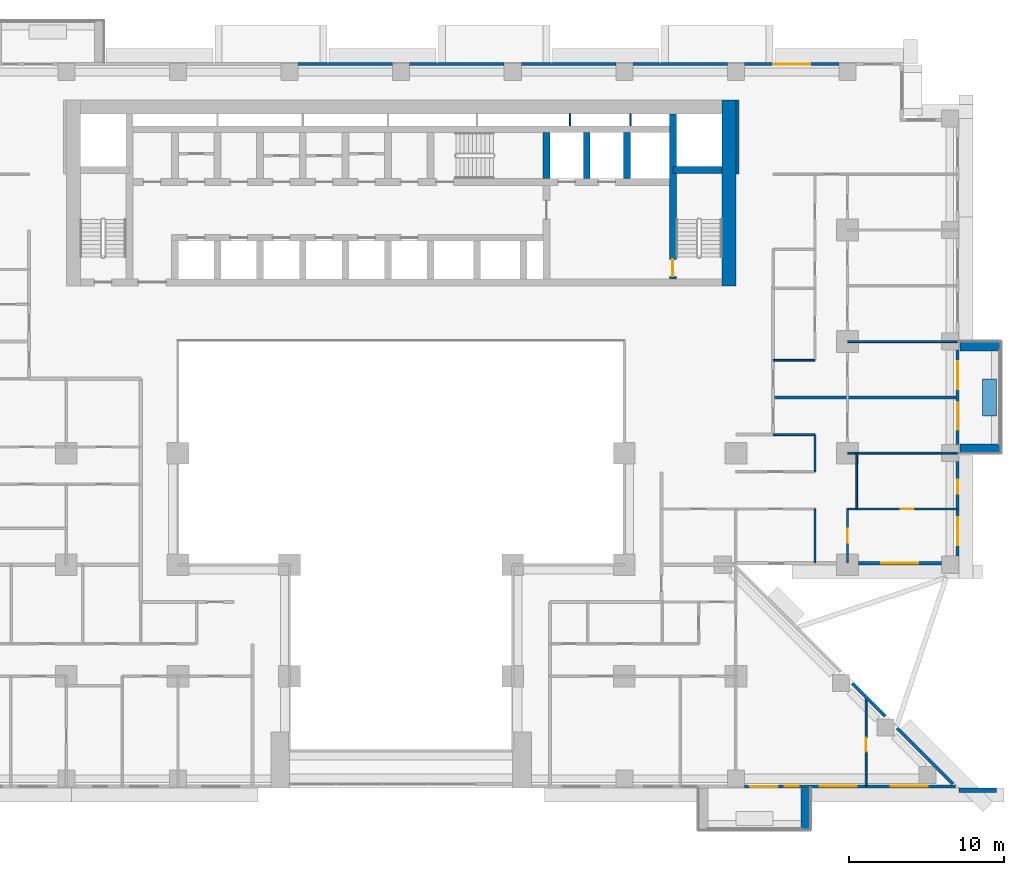
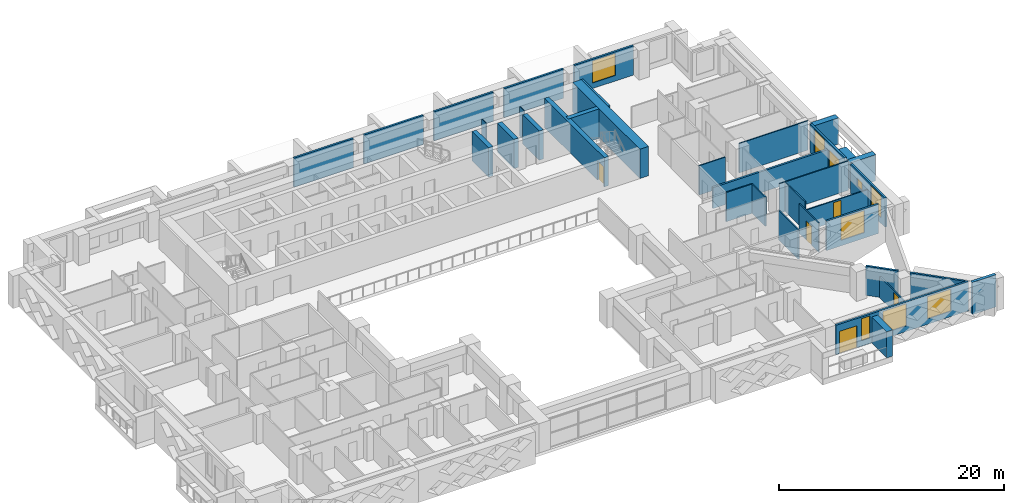
# One storey, part 11 of 16: 36 walls, 8 windows, 6 doors, 14 openings.
"""IFC4 building model written with IfcOpenShell, lengths in metres."""

import ifcopenshell
import ifcopenshell.guid

model = None  # the IFC model being written
_history = None  # IfcOwnerHistory: only IFC2X3 demands one
_inside = {}  # id of a spatial element -> (the spatial element, [elements in it])
_under = {}  # id of a project, library or spatial element -> (it, [spatial elements below it])
_declared = {}  # id of a project -> (the project, [libraries it declares])
_typed = {}  # id of a type object -> (the type object, [elements of that type])
_made_of = {}  # id of a material, layer set ... -> (it, [elements and type objects made of it])


def new_model(schema):
    """Start an empty IFC model of exactly this schema.

    Asked for "IFC4X3", IfcOpenShell would pick the latest addendum, in which some entities
    have other attributes; the version numbers below select the first issue.
    IFC2X3 requires an IfcOwnerHistory on every rooted entity: one is made here for all.
    """
    global model, _history
    if schema == "IFC4X3":
        model = ifcopenshell.file(schema_version=(4, 3, 0, 0))
    else:
        model = ifcopenshell.file(schema=schema)
    _inside.clear()
    _under.clear()
    _declared.clear()
    _typed.clear()
    _made_of.clear()
    _history = None
    if model.schema == "IFC2X3":
        org = make("IfcOrganization", Name="unknown")
        user = make(
            "IfcPersonAndOrganization",
            ThePerson=make("IfcPerson", FamilyName="unknown"),
            TheOrganization=org,
        )
        app = make(
            "IfcApplication",
            ApplicationDeveloper=org,
            Version="unknown",
            ApplicationFullName="unknown",
            ApplicationIdentifier="unknown",
        )
        _history = make(
            "IfcOwnerHistory",
            OwningUser=user,
            OwningApplication=app,
            ChangeAction="ADDED",
            CreationDate=0,
        )
    return model


def make(cls, **values):
    """One entity of the class cls with the attributes given. An attribute that is None is left unset."""
    return model.create_entity(
        cls, **{name: value for name, value in values.items() if value is not None}
    )


def rooted(cls, **values):
    """An entity with a GlobalId (a new one), such as an element, a storey or a relation."""
    return make(cls, GlobalId=ifcopenshell.guid.new(), OwnerHistory=_history, **values)


def si_unit(unit_type, name, prefix=None):
    """IfcSIUnit, for example si_unit("LENGTHUNIT", "METRE", prefix="MILLI")."""
    return make("IfcSIUnit", UnitType=unit_type, Prefix=prefix, Name=name)


def assignment(units):
    """IfcUnitAssignment: the units of a project."""
    return None if units is None else make("IfcUnitAssignment", Units=units)


def point(xyz):
    """IfcCartesianPoint."""
    return None if xyz is None else make("IfcCartesianPoint", Coordinates=xyz)


def direction(xyz):
    """IfcDirection."""
    return None if xyz is None else make("IfcDirection", DirectionRatios=xyz)


def frame(location, z_axis=None, x_axis=None):
    """IfcAxis2Placement3D, a coordinate frame: its origin and axes. An axis left out is left unset."""
    return make(
        "IfcAxis2Placement3D",
        Location=point(location),
        Axis=direction(z_axis),
        RefDirection=direction(x_axis),
    )


def frame_2d(location, x_axis=None):
    """IfcAxis2Placement2D, a coordinate frame in the plane: its origin and x axis."""
    return make(
        "IfcAxis2Placement2D", Location=point(location), RefDirection=direction(x_axis)
    )


def origin():
    """The frame at (0, 0, 0) with its axes left unset."""
    return frame((0.0, 0.0, 0.0))


def place(relative_to, where):
    """IfcLocalPlacement: puts the frame where relative to a parent placement (None: the world)."""
    return make(
        "IfcLocalPlacement", PlacementRelTo=relative_to, RelativePlacement=where
    )


def context(
    kind, dimensions, precision=None, world=None, true_north=None, identifier=None
):
    """IfcGeometricRepresentationContext, for example the 3D "Model" context."""
    return make(
        "IfcGeometricRepresentationContext",
        ContextIdentifier=identifier,
        ContextType=kind,
        CoordinateSpaceDimension=dimensions,
        Precision=precision,
        WorldCoordinateSystem=world,
        TrueNorth=true_north,
    )


def subcontext(parent, identifier, kind, view, scale=None):
    """IfcGeometricRepresentationSubContext, for example "Body" below "Model"."""
    return make(
        "IfcGeometricRepresentationSubContext",
        ContextIdentifier=identifier,
        ContextType=kind,
        ParentContext=parent,
        TargetScale=scale,
        TargetView=view,
    )


def project(units=None, contexts=None):
    """IfcProject with its units and contexts."""
    return rooted(
        "IfcProject",
        Name="project",
        RepresentationContexts=contexts,
        UnitsInContext=assignment(units),
    )


def spatial(cls, under=None, at=None, **own):
    """A site, building, storey or space (cls), placed at a placement, below another one or the project."""
    s = rooted(cls, ObjectPlacement=at, **own)
    if under is not None:
        _under.setdefault(under.id(), (under, []))[1].append(s)
    return s


def profile(cls, at=None, kind="AREA", **sizes):
    """A parametric profile (cls). Its sizes go by their IFC names, for example OverallWidth=200.0."""
    return make(cls, ProfileType=kind, Position=at, **sizes)


def rectangle(**sizes):
    """IfcRectangleProfileDef."""
    return profile("IfcRectangleProfileDef", **sizes)


def extrude(swept, where, along, depth):
    """IfcExtrudedAreaSolid: the profile swept, set in the frame where, extruded along a direction by depth."""
    return make(
        "IfcExtrudedAreaSolid",
        SweptArea=swept,
        Position=where,
        ExtrudedDirection=direction(along),
        Depth=depth,
    )


def shape(context_of_items, identifier, shape_type, items):
    """IfcShapeRepresentation: the items that make up one representation, for example the "Body"."""
    return make(
        "IfcShapeRepresentation",
        ContextOfItems=context_of_items,
        RepresentationIdentifier=identifier,
        RepresentationType=shape_type,
        Items=items,
    )


def material(Name=None, Category=None):
    """IfcMaterial."""
    return make("IfcMaterial", Name=Name, Category=Category)


def layer(
    of_material, thickness, ventilated=None, Name=None, Category=None, Priority=None
):
    """IfcMaterialLayer: one layer of a wall or slab, of a material (None: an air gap)."""
    return make(
        "IfcMaterialLayer",
        Material=of_material,
        LayerThickness=thickness,
        IsVentilated=ventilated,
        Name=Name,
        Category=Category,
        Priority=Priority,
    )


def layer_set(layers, Name=None):
    """IfcMaterialLayerSet."""
    return make("IfcMaterialLayerSet", MaterialLayers=layers, LayerSetName=Name)


def made_of(thing, what):
    """Note that an element or type object is made of a material, layer set ...; save() writes the relation."""
    if what is not None:
        _made_of.setdefault(what.id(), (what, []))[1].append(thing)
    return thing


def type_object(cls, material=None, **own):
    """A type object (cls), such as IfcWallType, which elements share."""
    return made_of(rooted(cls, **own), material)


def element(
    cls,
    number,
    at=None,
    inside=None,
    cuts=None,
    type_object=None,
    material=None,
    context=None,
    identifier="Body",
    shape_type=None,
    held_by="IfcProductDefinitionShape",
    body=None,
    shapes=None,
    **own,
):
    """One element of the class cls, such as IfcWall. Its Tag is "e" and its number.

    at: its placement. inside: the storey or other place that contains it. cuts: it is an
    opening in that element (IfcRelVoidsElement). A single representation is given by context,
    identifier, shape_type and body (its items); several are given by shapes. held_by: the class
    of the entity that holds the representations. save() writes the other relations.
    """
    e = rooted(cls, Tag="e%d" % number, ObjectPlacement=at, **own)
    if body is not None:
        shapes = [shape(context, identifier, shape_type, body)]
    if shapes is not None:
        e.Representation = make(held_by, Representations=shapes)
    if inside is not None:
        _inside.setdefault(inside.id(), (inside, []))[1].append(e)
    if cuts is not None:
        rooted(
            "IfcRelVoidsElement", RelatingBuildingElement=cuts, RelatedOpeningElement=e
        )
    if type_object is not None:
        _typed.setdefault(type_object.id(), (type_object, []))[1].append(e)
    return made_of(e, material)


def fill(opening, filler):
    """IfcRelFillsElement: the door or window that sits in an opening."""
    return rooted(
        "IfcRelFillsElement",
        RelatingOpeningElement=opening,
        RelatedBuildingElement=filler,
    )


def aggregate(whole, parts):
    """IfcRelAggregates: a whole, such as a stair, and the parts it consists of."""
    return rooted("IfcRelAggregates", RelatingObject=whole, RelatedObjects=parts)


def save(model, path):
    """Write the relations noted so far, then the file.

    IfcRelAggregates (storeys below a building ...), IfcRelContainedInSpatialStructure (elements
    in a storey), IfcRelDefinesByType, IfcRelAssociatesMaterial and IfcRelDeclares: one each for
    every whole, place, type object, material and project.
    """
    for whole, parts in _under.values():
        aggregate(whole, parts)
    for where, things in _inside.values():
        rooted(
            "IfcRelContainedInSpatialStructure",
            RelatedElements=things,
            RelatingStructure=where,
        )
    for kind, things in _typed.values():
        rooted("IfcRelDefinesByType", RelatedObjects=things, RelatingType=kind)
    for what, things in _made_of.values():
        rooted("IfcRelAssociatesMaterial", RelatedObjects=things, RelatingMaterial=what)
    for by, libraries in _declared.values():
        rooted("IfcRelDeclares", RelatingContext=by, RelatedDefinitions=libraries)
    model.write(path)


model = new_model("IFC4")

# Units and contexts
model_context = context("Model", 3, precision=1e-05, world=origin(), true_north=direction((0.0, 1.0)))
body_context = subcontext(model_context, "Body", "Model", "MODEL_VIEW")
ifc_project = project(units=[si_unit("LENGTHUNIT", "METRE"), si_unit("AREAUNIT", "SQUARE_METRE"), si_unit("VOLUMEUNIT", "CUBIC_METRE"), si_unit("PLANEANGLEUNIT", "RADIAN"), si_unit("MASSUNIT", "GRAM", prefix="KILO")], contexts=[model_context])

# Site, building, storey
site_placement = place(None, origin())
site = spatial("IfcSite", under=ifc_project, at=site_placement, CompositionType="ELEMENT")
building_placement = place(site_placement, origin())
building = spatial("IfcBuilding", under=site, at=building_placement, Name="Saffron Iwan Residences", CompositionType="ELEMENT")
storey_placement = place(building_placement, frame((0.0, 0.0, 30.5)))
storey = spatial("IfcBuildingStorey", under=building, at=storey_placement, Name="L06", CompositionType="ELEMENT", Elevation=30.5)

# Walls
ifc_material_1 = material(Name="Concrete C50/60 white painted", Category="concrete")
ifc_layer_1 = layer(ifc_material_1, 0.60009765625)
ifc_layer_set_1 = layer_set([ifc_layer_1], Name="Concrete C50/60 white painted")
wall_type_1 = type_object("IfcWallType", Name="BALCONY FIN 600", PredefinedType="SOLIDWALL", material=ifc_layer_set_1)
for number, where, z_axis, x_axis, name in (
    (1, (86.449951171875, 55.5, 0.0), (0.0, 0.0, 1.0), (1.0, 0.0, 0.0), "Balcony fin L06 F2-0a"),
    (2, (86.449951171875, 62.10009765625, 0.0), (0.0, 0.0, 1.0), (1.0, 0.0, 0.0), "Balcony fin L06 F2-0b"),
    (3, (76.5, 33.550048828125, 0.0), (0.0, 0.0, 1.0), (0.0, -1.0, 0.0), "Balcony fin L06 11-1b"),
):
    element("IfcWall", number, at=place(storey_placement, frame(where, z_axis=z_axis, x_axis=x_axis)), inside=storey, type_object=wall_type_1, Name=name, PredefinedType="SOLIDWALL", context=body_context, shape_type="SweptSolid", body=[
        extrude(rectangle(XDim=2.650146484375, YDim=0.60009765625, at=frame_2d((1.3251953125, 0.0))), origin(), (0.0, 0.0, 1.0), 2.85009765625),
    ])
ifc_material_2 = material(Name="Concrete C35/45 white painted", Category="concrete")
ifc_layer_2 = layer(ifc_material_2, 0.14990234375)
ifc_layer_set_2 = layer_set([ifc_layer_2], Name="Concrete C35/45 white painted")
wall_type_2 = type_object("IfcWallType", Name="BALCONY PLANTER", PredefinedType="SOLIDWALL", material=ifc_layer_set_2)
wall_1_placement = place(storey_placement, frame((88.375, 57.60009765625, 0.0), z_axis=(0.0, 0.0, 1.0), x_axis=(0.0, 1.0, 0.0)))
element("IfcWall", 4, at=wall_1_placement, inside=storey, type_object=wall_type_2, Name="PLANTER L06 F2-0", PredefinedType="SOLIDWALL", context=body_context, shape_type="SweptSolid", body=[
    extrude(rectangle(XDim=2.39990234375, YDim=0.89990234375, at=frame_2d((1.199951171875, 0.0))), origin(), (0.0, 0.0, 1.0), 0.89990234375),
])
ifc_material_3 = material(Name="Concrete C40/50", Category="concrete")
ifc_layer_3 = layer(ifc_material_3, 0.199951171875)
ifc_layer_set_3 = layer_set([ifc_layer_3], Name="Concrete C40/50")
wall_type_3 = type_object("IfcWallType", Name="EXTERNAL WALL 200", PredefinedType="SOLIDWALL", material=ifc_layer_set_3)
wall_2_placement = place(storey_placement, frame((85.995849609375, 33.862548828125, 0.0), z_axis=(0.0, 0.0, 1.0), x_axis=(-0.7070827891, 0.707130772459, 0.0)))
element("IfcWall", 5, at=wall_2_placement, inside=storey, type_object=wall_type_3, Name="External wall L06 F0.0", PredefinedType="SOLIDWALL", context=body_context, shape_type="SweptSolid", body=[
    extrude(rectangle(XDim=5.088134765625, YDim=0.199951171875, at=frame_2d((2.5439453125, 0.0))), origin(), (0.0, 0.0, 1.0), 3.179931640625),
])
wall_3_placement = place(storey_placement, frame((81.620361328125, 38.23828125, 0.0), z_axis=(0.0, 0.0, 1.0), x_axis=(-0.707106781187, 0.707106781187, 0.0)))
element("IfcWall", 6, at=wall_3_placement, inside=storey, type_object=wall_type_3, Name="External wall L06 F0.1", PredefinedType="SOLIDWALL", context=body_context, shape_type="SweptSolid", body=[
    extrude(rectangle(XDim=2.97265625, YDim=0.199951171875, at=frame_2d((1.486328125, 0.0))), origin(), (0.0, 0.0, 1.0), 3.179931640625),
])

# Wall, opening, window
wall_4_placement = place(storey_placement, frame((79.89990234375, 48.10009765625, 0.0), z_axis=(0.0, 0.0, 1.0), x_axis=(1.0, 0.0, 0.0)))
wall_4 = element("IfcWall", 7, at=wall_4_placement, inside=storey, type_object=wall_type_3, Name="External wall L06 F1.1", PredefinedType="SOLIDWALL", context=body_context, shape_type="SweptSolid", body=[
    extrude(rectangle(XDim=5.35009765625, YDim=0.199951171875, at=frame_2d((2.675048828125, 0.0))), origin(), (0.0, 0.0, 1.0), 3.179931640625),
])
opening_1_placement = place(wall_4_placement, frame((1.47509765625, 0.0, 0.60009765625)))
opening_1 = element("IfcOpeningElement", 8, at=opening_1_placement, cuts=wall_4, Name="Opening W1", PredefinedType="OPENING", context=body_context, shape_type="SweptSolid", body=[
    extrude(rectangle(XDim=2.39990234375, YDim=2.39990234375, at=frame_2d((1.199951171875, 1.199951171875))), frame((0.0, 0.10986328125, 0.0), z_axis=(0.0, -1.0, 0.0), x_axis=(1.0, 0.0, 0.0)), (0.0, 0.0, 1.0), 0.219970703125),
])
ifc_material_4 = material(Name="Clear glass, laminated double glazed", Category="glass")
window_type_1 = type_object("IfcWindowType", Name="WINDOW 2400 x 2400", PartitioningType="DOUBLE_PANEL_VERTICAL", PredefinedType="WINDOW", material=ifc_material_4)
window_1_placement = place(opening_1_placement, origin())
window_1 = element("IfcWindow", 9, at=window_1_placement, inside=storey, type_object=window_type_1, Name="Window L06 F1.0", OverallHeight=2.39990234375, OverallWidth=2.39990234375, PartitioningType="DOUBLE_PANEL_VERTICAL", PredefinedType="WINDOW", context=body_context, shape_type="SweptSolid", body=[
    extrude(rectangle(XDim=2.39990234375, YDim=2.39990234375, at=frame_2d((1.199951171875, 1.199951171875))), frame((0.0, 0.030029296875, 0.0), z_axis=(0.0, -1.0, 0.0), x_axis=(1.0, 0.0, 0.0)), (0.0, 0.0, 1.0), 0.06005859375),
])
fill(opening_1, window_1)

# Wall, openings, windows
wall_5_placement = place(storey_placement, frame((86.300048828125, 48.550048828125, 0.0), z_axis=(0.0, 0.0, 1.0), x_axis=(0.0, 1.0, 0.0)))
wall_5 = element("IfcWall", 10, at=wall_5_placement, inside=storey, type_object=wall_type_3, Name="External wall L06 F2.0", PredefinedType="SOLIDWALL", context=body_context, shape_type="SweptSolid", body=[
    extrude(rectangle(XDim=6.099853515625, YDim=0.199951171875, at=frame_2d((3.0498046875, 0.0))), origin(), (0.0, 0.0, 1.0), 3.179931640625),
])
opening_2_placement = place(wall_5_placement, frame((0.72509765625, 0.0, 0.60009765625)))
opening_2 = element("IfcOpeningElement", 11, at=opening_2_placement, cuts=wall_5, Name="Opening W8", PredefinedType="OPENING", context=body_context, shape_type="SweptSolid", body=[
    extrude(rectangle(XDim=1.800048828125, YDim=2.39990234375, at=frame_2d((0.89990234375, 1.199951171875))), frame((0.0, 0.10986328125, 0.0), z_axis=(0.0, -1.0, 0.0), x_axis=(1.0, 0.0, 0.0)), (0.0, 0.0, 1.0), 0.219970703125),
])
opening_3_placement = place(wall_5_placement, frame((4.02490234375, 0.0, 1.5)))
opening_3 = element("IfcOpeningElement", 12, at=opening_3_placement, cuts=wall_5, Name="Opening W6", PredefinedType="OPENING", context=body_context, shape_type="SweptSolid", body=[
    extrude(rectangle(XDim=0.89990234375, YDim=0.89990234375, at=frame_2d((0.449951171875, 0.449951171875))), frame((0.0, 0.10986328125, 0.0), z_axis=(0.0, -1.0, 0.0), x_axis=(1.0, 0.0, 0.0)), (0.0, 0.0, 1.0), 0.219970703125),
])
window_type_2 = type_object("IfcWindowType", Name="WINDOW 1800 x 2400", PartitioningType="DOUBLE_PANEL_VERTICAL", PredefinedType="WINDOW", material=ifc_material_4)
window_2_placement = place(opening_2_placement, origin())
window_2 = element("IfcWindow", 13, at=window_2_placement, inside=storey, type_object=window_type_2, Name="Window L06 F2.0", OverallHeight=2.39990234375, OverallWidth=1.800048828125, PartitioningType="DOUBLE_PANEL_VERTICAL", PredefinedType="WINDOW", context=body_context, shape_type="SweptSolid", body=[
    extrude(rectangle(XDim=1.800048828125, YDim=2.39990234375, at=frame_2d((0.89990234375, 1.199951171875))), frame((0.0, 0.030029296875, 0.0), z_axis=(0.0, -1.0, 0.0), x_axis=(1.0, 0.0, 0.0)), (0.0, 0.0, 1.0), 0.06005859375),
])
fill(opening_2, window_2)
window_type_3 = type_object("IfcWindowType", Name="WINDOW 900 x 900 BATH", PartitioningType="SINGLE_PANEL", PredefinedType="WINDOW", material=ifc_material_4)
window_3_placement = place(opening_3_placement, origin())
window_3 = element("IfcWindow", 14, at=window_3_placement, inside=storey, type_object=window_type_3, Name="Window L06 F2.1", OverallHeight=0.89990234375, OverallWidth=0.89990234375, PartitioningType="SINGLE_PANEL", PredefinedType="WINDOW", context=body_context, shape_type="SweptSolid", body=[
    extrude(rectangle(XDim=0.89990234375, YDim=0.89990234375, at=frame_2d((0.449951171875, 0.449951171875))), frame((0.0, 0.030029296875, 0.0), z_axis=(0.0, -1.0, 0.0), x_axis=(1.0, 0.0, 0.0)), (0.0, 0.0, 1.0), 0.06005859375),
])
fill(opening_3, window_3)

# Wall, openings, door, window
wall_6_placement = place(storey_placement, frame((86.300048828125, 55.75, 0.0), z_axis=(0.0, 0.0, 1.0), x_axis=(0.0, 1.0, 0.0)))
wall_6 = element("IfcWall", 15, at=wall_6_placement, inside=storey, type_object=wall_type_3, Name="External wall L06 F2.1", PredefinedType="SOLIDWALL", context=body_context, shape_type="SweptSolid", body=[
    extrude(rectangle(XDim=6.10009765625, YDim=0.199951171875, at=frame_2d((3.050048828125, 0.0))), origin(), (0.0, 0.0, 1.0), 3.179931640625),
])
opening_4_placement = place(wall_6_placement, frame((0.949951171875, 0.0, 0.0)))
opening_4 = element("IfcOpeningElement", 16, at=opening_4_placement, cuts=wall_6, Name="Opening BD1", PredefinedType="OPENING", context=body_context, shape_type="SweptSolid", body=[
    extrude(rectangle(XDim=1.800048828125, YDim=2.39990234375, at=frame_2d((0.89990234375, 1.199951171875))), frame((0.0, 0.10986328125, 0.0), z_axis=(0.0, -1.0, 0.0), x_axis=(1.0, 0.0, 0.0)), (0.0, 0.0, 1.0), 0.219970703125),
])
opening_5_placement = place(wall_6_placement, frame((3.574951171875, 0.0, 0.60009765625)))
opening_5 = element("IfcOpeningElement", 17, at=opening_5_placement, cuts=wall_6, Name="Opening W8", PredefinedType="OPENING", context=body_context, shape_type="SweptSolid", body=[
    extrude(rectangle(XDim=1.800048828125, YDim=2.39990234375, at=frame_2d((0.89990234375, 1.199951171875))), frame((0.0, 0.10986328125, 0.0), z_axis=(0.0, -1.0, 0.0), x_axis=(1.0, 0.0, 0.0)), (0.0, 0.0, 1.0), 0.219970703125),
])
door_type_1 = type_object("IfcDoorType", Name="BALCONY DOOR 1800 x 2400", OperationType="DOUBLE_DOOR_SLIDING", PredefinedType="DOOR", material=ifc_material_4)
door_1_placement = place(opening_4_placement, origin())
door_1 = element("IfcDoor", 18, at=door_1_placement, inside=storey, type_object=door_type_1, Name="Balcony door L06 F2.0", OperationType="DOUBLE_DOOR_SLIDING", OverallHeight=2.39990234375, OverallWidth=1.800048828125, PredefinedType="DOOR", context=body_context, shape_type="SweptSolid", body=[
    extrude(rectangle(XDim=1.800048828125, YDim=2.39990234375, at=frame_2d((0.89990234375, 1.199951171875))), frame((0.0, 0.02490234375, 0.0), z_axis=(0.0, -1.0, 0.0), x_axis=(1.0, 0.0, 0.0)), (0.0, 0.0, 1.0), 0.050048828125),
])
fill(opening_4, door_1)
window_4_placement = place(opening_5_placement, origin())
window_4 = element("IfcWindow", 19, at=window_4_placement, inside=storey, type_object=window_type_2, Name="Window L06 F2.1", OverallHeight=2.39990234375, OverallWidth=1.800048828125, PartitioningType="DOUBLE_PANEL_VERTICAL", PredefinedType="WINDOW", context=body_context, shape_type="SweptSolid", body=[
    extrude(rectangle(XDim=1.800048828125, YDim=2.39990234375, at=frame_2d((0.89990234375, 1.199951171875))), frame((0.0, 0.030029296875, 0.0), z_axis=(0.0, -1.0, 0.0), x_axis=(1.0, 0.0, 0.0)), (0.0, 0.0, 1.0), 0.06005859375),
])
fill(opening_5, window_4)

# Wall, opening, window
wall_7_placement = place(storey_placement, frame((78.64990234375, 80.300048828125, 0.0), z_axis=(0.0, 0.0, 1.0), x_axis=(-1.0, 0.0, 0.0)))
wall_7 = element("IfcWall", 20, at=wall_7_placement, inside=storey, type_object=wall_type_3, Name="External wall L06 F5.1", PredefinedType="SOLIDWALL", context=body_context, shape_type="SweptSolid", body=[
    extrude(rectangle(XDim=6.099853515625, YDim=0.199951171875, at=frame_2d((3.0498046875, 0.0))), origin(), (0.0, 0.0, 1.0), 3.179931640625),
])
opening_6_placement = place(wall_7_placement, frame((1.85009765625, 0.0, 0.60009765625)))
opening_6 = element("IfcOpeningElement", 21, at=opening_6_placement, cuts=wall_7, Name="Opening W1", PredefinedType="OPENING", context=body_context, shape_type="SweptSolid", body=[
    extrude(rectangle(XDim=2.39990234375, YDim=2.39990234375, at=frame_2d((1.199951171875, 1.199951171875))), frame((0.0, 0.10986328125, 0.0), z_axis=(0.0, -1.0, 0.0), x_axis=(1.0, 0.0, 0.0)), (0.0, 0.0, 1.0), 0.219970703125),
])
window_5_placement = place(opening_6_placement, origin())
window_5 = element("IfcWindow", 22, at=window_5_placement, inside=storey, type_object=window_type_1, Name="Window L06 F5.0", OverallHeight=2.39990234375, OverallWidth=2.39990234375, PartitioningType="DOUBLE_PANEL_VERTICAL", PredefinedType="WINDOW", context=body_context, shape_type="SweptSolid", body=[
    extrude(rectangle(XDim=2.39990234375, YDim=2.39990234375, at=frame_2d((1.199951171875, 1.199951171875))), frame((0.0, 0.030029296875, 0.0), z_axis=(0.0, -1.0, 0.0), x_axis=(1.0, 0.0, 0.0)), (0.0, 0.0, 1.0), 0.06005859375),
])
fill(opening_6, window_5)

# Walls
wall_8_placement = place(storey_placement, frame((71.449951171875, 80.300048828125, 0.0), z_axis=(0.0, 0.0, 1.0), x_axis=(-1.0, 0.0, 0.0)))
element("IfcWall", 23, at=wall_8_placement, inside=storey, type_object=wall_type_3, Name="External wall L06 F5.2", PredefinedType="SOLIDWALL", context=body_context, shape_type="SweptSolid", body=[
    extrude(rectangle(XDim=6.099853515625, YDim=0.199951171875, at=frame_2d((3.0498046875, 0.0))), origin(), (0.0, 0.0, 1.0), 3.179931640625),
])
for number, where, z_axis, x_axis, name in (
    (24, (64.25, 80.300048828125, 0.0), (0.0, 0.0, 1.0), (-1.0, 0.0, 0.0), "External wall L06 F5.3"),
    (25, (57.050048828125, 80.300048828125, 0.0), (0.0, 0.0, 1.0), (-1.0, 0.0, 0.0), "External wall L06 F5.4"),
    (26, (49.85009765625, 80.300048828125, 0.0), (0.0, 0.0, 1.0), (-1.0, 0.0, 0.0), "External wall L06 F5.5"),
):
    element("IfcWall", number, at=place(storey_placement, frame(where, z_axis=z_axis, x_axis=x_axis)), inside=storey, type_object=wall_type_3, Name=name, PredefinedType="SOLIDWALL", context=body_context, shape_type="SweptSolid", body=[
        extrude(rectangle(XDim=6.10009765625, YDim=0.199951171875, at=frame_2d((3.050048828125, 0.0))), origin(), (0.0, 0.0, 1.0), 3.179931640625),
    ])

# Wall, openings, door, windows
wall_9_placement = place(storey_placement, frame((72.550048828125, 33.699951171875, 0.0), z_axis=(0.0, 0.0, 1.0), x_axis=(1.0, 0.0, 0.0)))
wall_9 = element("IfcWall", 27, at=wall_9_placement, inside=storey, type_object=wall_type_3, Name="External wall L06 F11.6", PredefinedType="SOLIDWALL", context=body_context, shape_type="SweptSolid", body=[
    extrude(rectangle(XDim=13.608642578125, YDim=0.199951171875, at=frame_2d((6.80419921875, 0.0))), origin(), (0.0, 0.0, 1.0), 3.179931640625),
])
opening_7_placement = place(wall_9_placement, frame((0.35009765625, 0.0, 0.0)))
opening_7 = element("IfcOpeningElement", 28, at=opening_7_placement, cuts=wall_9, Name="Opening BD1", PredefinedType="OPENING", context=body_context, shape_type="SweptSolid", body=[
    extrude(rectangle(XDim=1.800048828125, YDim=2.39990234375, at=frame_2d((0.89990234375, 1.199951171875))), frame((0.0, 0.10986328125, 0.0), z_axis=(0.0, -1.0, 0.0), x_axis=(1.0, 0.0, 0.0)), (0.0, 0.0, 1.0), 0.219970703125),
])
opening_8_placement = place(wall_9_placement, frame((2.60009765625, 0.0, 0.60009765625)))
opening_8 = element("IfcOpeningElement", 29, at=opening_8_placement, cuts=wall_9, Name="Opening W10", PredefinedType="OPENING", context=body_context, shape_type="SweptSolid", body=[
    extrude(rectangle(XDim=0.89990234375, YDim=2.39990234375, at=frame_2d((0.449951171875, 1.199951171875))), frame((0.0, 0.10986328125, 0.0), z_axis=(0.0, -1.0, 0.0), x_axis=(1.0, 0.0, 0.0)), (0.0, 0.0, 1.0), 0.219970703125),
])
opening_9_placement = place(wall_9_placement, frame((4.85009765625, 0.0, 0.60009765625)))
opening_9 = element("IfcOpeningElement", 30, at=opening_9_placement, cuts=wall_9, Name="Opening W1", PredefinedType="OPENING", context=body_context, shape_type="SweptSolid", body=[
    extrude(rectangle(XDim=2.39990234375, YDim=2.39990234375, at=frame_2d((1.199951171875, 1.199951171875))), frame((0.0, 0.10986328125, 0.0), z_axis=(0.0, -1.0, 0.0), x_axis=(1.0, 0.0, 0.0)), (0.0, 0.0, 1.0), 0.219970703125),
])
opening_10_placement = place(wall_9_placement, frame((9.42919921875, 0.0, 0.60009765625)))
opening_10 = element("IfcOpeningElement", 31, at=opening_10_placement, cuts=wall_9, Name="Opening W1", PredefinedType="OPENING", context=body_context, shape_type="SweptSolid", body=[
    extrude(rectangle(XDim=2.39990234375, YDim=2.39990234375, at=frame_2d((1.199951171875, 1.199951171875))), frame((0.0, 0.10986328125, 0.0), z_axis=(0.0, -1.0, 0.0), x_axis=(1.0, 0.0, 0.0)), (0.0, 0.0, 1.0), 0.219970703125),
])
door_2_placement = place(opening_7_placement, origin())
door_2 = element("IfcDoor", 32, at=door_2_placement, inside=storey, type_object=door_type_1, Name="Balcony door L06 F11.0", OperationType="DOUBLE_DOOR_SLIDING", OverallHeight=2.39990234375, OverallWidth=1.800048828125, PredefinedType="DOOR", context=body_context, shape_type="SweptSolid", body=[
    extrude(rectangle(XDim=1.800048828125, YDim=2.39990234375, at=frame_2d((0.89990234375, 1.199951171875))), frame((0.0, 0.02490234375, 0.0), z_axis=(0.0, -1.0, 0.0), x_axis=(1.0, 0.0, 0.0)), (0.0, 0.0, 1.0), 0.050048828125),
])
fill(opening_7, door_2)
window_6_placement = place(opening_9_placement, origin())
window_6 = element("IfcWindow", 33, at=window_6_placement, inside=storey, type_object=window_type_1, Name="Window L06 F11.2", OverallHeight=2.39990234375, OverallWidth=2.39990234375, PartitioningType="DOUBLE_PANEL_VERTICAL", PredefinedType="WINDOW", context=body_context, shape_type="SweptSolid", body=[
    extrude(rectangle(XDim=2.39990234375, YDim=2.39990234375, at=frame_2d((1.199951171875, 1.199951171875))), frame((0.0, 0.030029296875, 0.0), z_axis=(0.0, -1.0, 0.0), x_axis=(1.0, 0.0, 0.0)), (0.0, 0.0, 1.0), 0.06005859375),
])
fill(opening_9, window_6)
window_7_placement = place(opening_10_placement, origin())
window_7 = element("IfcWindow", 34, at=window_7_placement, inside=storey, type_object=window_type_1, Name="Window L06 F11.3", OverallHeight=2.39990234375, OverallWidth=2.39990234375, PartitioningType="DOUBLE_PANEL_VERTICAL", PredefinedType="WINDOW", context=body_context, shape_type="SweptSolid", body=[
    extrude(rectangle(XDim=2.39990234375, YDim=2.39990234375, at=frame_2d((1.199951171875, 1.199951171875))), frame((0.0, 0.030029296875, 0.0), z_axis=(0.0, -1.0, 0.0), x_axis=(1.0, 0.0, 0.0)), (0.0, 0.0, 1.0), 0.06005859375),
])
fill(opening_10, window_7)
window_type_4 = type_object("IfcWindowType", Name="WINDOW 900 x 2400", PartitioningType="SINGLE_PANEL", PredefinedType="WINDOW", material=ifc_material_4)
window_8_placement = place(opening_8_placement, origin())
window_8 = element("IfcWindow", 35, at=window_8_placement, inside=storey, type_object=window_type_4, Name="Window L06 F11.1", OverallHeight=2.39990234375, OverallWidth=0.89990234375, PartitioningType="SINGLE_PANEL", PredefinedType="WINDOW", context=body_context, shape_type="SweptSolid", body=[
    extrude(rectangle(XDim=0.89990234375, YDim=2.39990234375, at=frame_2d((0.449951171875, 1.199951171875))), frame((0.0, 0.030029296875, 0.0), z_axis=(0.0, -1.0, 0.0), x_axis=(1.0, 0.0, 0.0)), (0.0, 0.0, 1.0), 0.06005859375),
])
fill(opening_8, window_8)

# Wall
ifc_material_5 = material(Name="Fire-rated gypsum board wall")
ifc_layer_4 = layer(ifc_material_5, 0.199951171875)
ifc_layer_set_4 = layer_set([ifc_layer_4], Name="Fire-rated gypsum board wall")
wall_type_4 = type_object("IfcWallType", Name="Flat demising wall 200", PredefinedType="SOLIDWALL", material=ifc_layer_set_4)
wall_10_placement = place(storey_placement, frame((74.39990234375, 58.800048828125, 0.0), z_axis=(0.0, 0.0, 1.0), x_axis=(1.0, 0.0, 0.0)))
element("IfcWall", 36, at=wall_10_placement, inside=storey, type_object=wall_type_4, Name="W-L06-DEMISE-h58.8-74.4", PredefinedType="SOLIDWALL", context=body_context, shape_type="SweptSolid", body=[
    extrude(rectangle(XDim=11.875, YDim=0.199951171875, at=frame_2d((5.9375, 0.0))), origin(), (0.0, 0.0, 1.0), 2.280029296875),
])

# Wall, opening, door
ifc_material_6 = material(Name="Gypsum board partition")
ifc_layer_5 = layer(ifc_material_6, 0.1201171875)
ifc_layer_set_5 = layer_set([ifc_layer_5], Name="Gypsum board partition")
wall_type_5 = type_object("IfcWallType", Name="Flat partition 120", PredefinedType="PARTITIONING", material=ifc_layer_set_5)
wall_11_placement = place(storey_placement, frame((79.199951171875, 51.60009765625, 0.0), z_axis=(0.0, 0.0, 1.0), x_axis=(1.0, 0.0, 0.0)))
wall_11 = element("IfcWall", 37, at=wall_11_placement, inside=storey, type_object=wall_type_5, Name="W-L06-PART-h51.6-79.2", PredefinedType="PARTITIONING", context=body_context, shape_type="SweptSolid", body=[
    extrude(rectangle(XDim=7.074951171875, YDim=0.1201171875, at=frame_2d((3.53759765625, 0.0))), origin(), (0.0, 0.0, 1.0), 2.280029296875),
])
opening_11_placement = place(wall_11_placement, frame((3.4375, 0.0, 0.0)))
opening_11 = element("IfcOpeningElement", 38, at=opening_11_placement, cuts=wall_11, Name="Opening FD3", PredefinedType="OPENING", context=body_context, shape_type="SweptSolid", body=[
    extrude(rectangle(XDim=0.800048828125, YDim=2.10009765625, at=frame_2d((0.39990234375, 1.050048828125))), frame((0.0, 0.070068359375, 0.0), z_axis=(0.0, -1.0, 0.0), x_axis=(1.0, 0.0, 0.0)), (0.0, 0.0, 1.0), 0.14013671875),
])
ifc_material_7 = material(Name="Timber door", Category="wood")
door_type_2 = type_object("IfcDoorType", Name="Bathroom door 800", OperationType="NOTDEFINED", PredefinedType="DOOR", material=ifc_material_7)
door_3_placement = place(opening_11_placement, origin())
door_3 = element("IfcDoor", 39, at=door_3_placement, inside=storey, type_object=door_type_2, Name="Door L06-023", OperationType="SINGLE_SWING_LEFT", OverallHeight=2.10009765625, OverallWidth=0.800048828125, PredefinedType="DOOR", context=body_context, shape_type="SweptSolid", body=[
    extrude(rectangle(XDim=0.800048828125, YDim=2.10009765625, at=frame_2d((0.39990234375, 1.050048828125))), frame((0.0, 0.02490234375, 0.0), z_axis=(0.0, -1.0, 0.0), x_axis=(1.0, 0.0, 0.0)), (0.0, 0.0, 1.0), 0.050048828125),
])
fill(opening_11, door_3)

# Walls
wall_12_placement = place(storey_placement, frame((79.199951171875, 55.199951171875, 0.0), z_axis=(0.0, 0.0, 1.0), x_axis=(1.0, 0.0, 0.0)))
element("IfcWall", 40, at=wall_12_placement, inside=storey, type_object=wall_type_5, Name="W-L06-PART-h55.2-79.2", PredefinedType="PARTITIONING", context=body_context, shape_type="SweptSolid", body=[
    extrude(rectangle(XDim=7.074951171875, YDim=0.1201171875, at=frame_2d((3.53759765625, 0.0))), origin(), (0.0, 0.0, 1.0), 3.179931640625),
])
for number, where, z_axis, x_axis, name in (
    (41, (74.39990234375, 56.39990234375, 0.0), (0.0, 0.0, 1.0), (1.0, 0.0, 0.0), "W-L06-PART-h56.4-74.4"),
    (42, (74.39990234375, 61.199951171875, 0.0), (0.0, 0.0, 1.0), (1.0, 0.0, 0.0), "W-L06-PART-h61.2-74.4"),
):
    element("IfcWall", number, at=place(storey_placement, frame(where, z_axis=z_axis, x_axis=x_axis)), inside=storey, type_object=wall_type_5, Name=name, PredefinedType="PARTITIONING", context=body_context, shape_type="SweptSolid", body=[
        extrude(rectangle(XDim=2.7001953125, YDim=0.1201171875, at=frame_2d((1.35009765625, 0.0))), origin(), (0.0, 0.0, 1.0), 3.179931640625),
    ])
wall_13_placement = place(storey_placement, frame((79.199951171875, 62.39990234375, 0.0), z_axis=(0.0, 0.0, 1.0), x_axis=(1.0, 0.0, 0.0)))
element("IfcWall", 43, at=wall_13_placement, inside=storey, type_object=wall_type_5, Name="W-L06-PART-h62.4-79.2", PredefinedType="PARTITIONING", context=body_context, shape_type="SweptSolid", body=[
    extrude(rectangle(XDim=7.074951171875, YDim=0.1201171875, at=frame_2d((3.53759765625, 0.0))), origin(), (0.0, 0.0, 1.0), 3.179931640625),
])
wall_14_placement = place(storey_placement, frame((77.10009765625, 48.125, 0.0), z_axis=(0.0, 0.0, 1.0), x_axis=(0.0, 1.0, 0.0)))
element("IfcWall", 44, at=wall_14_placement, inside=storey, type_object=wall_type_5, Name="W-L06-PART-v77.1-48.125", PredefinedType="PARTITIONING", context=body_context, shape_type="SweptSolid", body=[
    extrude(rectangle(XDim=3.47509765625, YDim=0.1201171875, at=frame_2d((1.737548828125, 0.0))), origin(), (0.0, 0.0, 1.0), 3.179931640625),
])
wall_15_placement = place(storey_placement, frame((77.10009765625, 54.0, 0.0), z_axis=(0.0, 0.0, 1.0), x_axis=(0.0, 1.0, 0.0)))
element("IfcWall", 45, at=wall_15_placement, inside=storey, type_object=wall_type_5, Name="W-L06-PART-v77.1-54", PredefinedType="PARTITIONING", context=body_context, shape_type="SweptSolid", body=[
    extrude(rectangle(XDim=2.39990234375, YDim=0.1201171875, at=frame_2d((1.199951171875, 0.0))), origin(), (0.0, 0.0, 1.0), 3.179931640625),
])

# Wall, opening, door
wall_16_placement = place(storey_placement, frame((79.199951171875, 48.125, 0.0), z_axis=(0.0, 0.0, 1.0), x_axis=(0.0, 1.0, 0.0)))
wall_16 = element("IfcWall", 46, at=wall_16_placement, inside=storey, type_object=wall_type_5, Name="W-L06-PART-v79.2-48.125", PredefinedType="PARTITIONING", context=body_context, shape_type="SweptSolid", body=[
    extrude(rectangle(XDim=3.47509765625, YDim=0.1201171875, at=frame_2d((1.737548828125, 0.0))), origin(), (0.0, 0.0, 1.0), 3.179931640625),
])
opening_12_placement = place(wall_16_placement, frame((1.28759765625, 0.0, 0.0)))
opening_12 = element("IfcOpeningElement", 47, at=opening_12_placement, cuts=wall_16, Name="Opening FD2", PredefinedType="OPENING", context=body_context, shape_type="SweptSolid", body=[
    extrude(rectangle(XDim=0.89990234375, YDim=2.10009765625, at=frame_2d((0.449951171875, 1.050048828125))), frame((0.0, 0.070068359375, 0.0), z_axis=(0.0, -1.0, 0.0), x_axis=(1.0, 0.0, 0.0)), (0.0, 0.0, 1.0), 0.14013671875),
])
door_type_3 = type_object("IfcDoorType", Name="Flat door 900", OperationType="NOTDEFINED", PredefinedType="DOOR", material=ifc_material_7)
door_4_placement = place(opening_12_placement, origin())
door_4 = element("IfcDoor", 48, at=door_4_placement, inside=storey, type_object=door_type_3, Name="Door L06-022", OperationType="SINGLE_SWING_RIGHT", OverallHeight=2.10009765625, OverallWidth=0.89990234375, PredefinedType="DOOR", context=body_context, shape_type="SweptSolid", body=[
    extrude(rectangle(XDim=0.89990234375, YDim=2.10009765625, at=frame_2d((0.449951171875, 1.050048828125))), frame((0.0, 0.02490234375, 0.0), z_axis=(0.0, -1.0, 0.0), x_axis=(1.0, 0.0, 0.0)), (0.0, 0.0, 1.0), 0.050048828125),
])
fill(opening_12, door_4)

# Wall
wall_17_placement = place(storey_placement, frame((79.800048828125, 51.60009765625, 0.0), z_axis=(0.0, 0.0, 1.0), x_axis=(0.0, 1.0, 0.0)))
element("IfcWall", 49, at=wall_17_placement, inside=storey, type_object=wall_type_5, Name="W-L06-PART-v79.8-51.6", PredefinedType="PARTITIONING", context=body_context, shape_type="SweptSolid", body=[
    extrude(rectangle(XDim=3.599853515625, YDim=0.1201171875, at=frame_2d((1.7998046875, 0.0))), origin(), (0.0, 0.0, 1.0), 3.179931640625),
])

# Wall, opening, door
wall_18_placement = place(storey_placement, frame((80.39990234375, 33.72509765625, 0.0), z_axis=(0.0, 0.0, 1.0), x_axis=(0.0, 1.0, 0.0)))
wall_18 = element("IfcWall", 50, at=wall_18_placement, inside=storey, type_object=wall_type_5, Name="W-L06-PART-v80.4-33.725", PredefinedType="PARTITIONING", context=body_context, shape_type="SweptSolid", body=[
    extrude(rectangle(XDim=5.697998046875, YDim=0.1201171875, at=frame_2d((2.84912109375, 0.0))), origin(), (0.0, 0.0, 1.0), 2.280029296875),
])
opening_13_placement = place(wall_18_placement, frame((2.198974609375, 0.0, 0.0)))
opening_13 = element("IfcOpeningElement", 51, at=opening_13_placement, cuts=wall_18, Name="Opening FD2", PredefinedType="OPENING", context=body_context, shape_type="SweptSolid", body=[
    extrude(rectangle(XDim=0.89990234375, YDim=2.10009765625, at=frame_2d((0.449951171875, 1.050048828125))), frame((0.0, 0.070068359375, 0.0), z_axis=(0.0, -1.0, 0.0), x_axis=(1.0, 0.0, 0.0)), (0.0, 0.0, 1.0), 0.14013671875),
])
door_5_placement = place(opening_13_placement, origin())
door_5 = element("IfcDoor", 52, at=door_5_placement, inside=storey, type_object=door_type_3, Name="Door L06-052", OperationType="SINGLE_SWING_LEFT", OverallHeight=2.10009765625, OverallWidth=0.89990234375, PredefinedType="DOOR", context=body_context, shape_type="SweptSolid", body=[
    extrude(rectangle(XDim=0.89990234375, YDim=2.10009765625, at=frame_2d((0.449951171875, 1.050048828125))), frame((0.0, 0.02490234375, 0.0), z_axis=(0.0, -1.0, 0.0), x_axis=(1.0, 0.0, 0.0)), (0.0, 0.0, 1.0), 0.050048828125),
])
fill(opening_13, door_5)

# Walls
ifc_layer_6 = layer(ifc_material_5, 0.199951171875)
ifc_layer_set_6 = layer_set([ifc_layer_6], Name="Fire-rated gypsum board wall")
wall_type_6 = type_object("IfcWallType", Name="Gallery wall 200", PredefinedType="SOLIDWALL", material=ifc_layer_set_6)
wall_19_placement = place(storey_placement, frame((72.10009765625, 73.199951171875, 0.0), z_axis=(0.0, 0.0, 1.0), x_axis=(0.0, 1.0, 0.0)))
element("IfcWall", 53, at=wall_19_placement, inside=storey, type_object=wall_type_6, Name="W-L06-CORR-v72-73.2", PredefinedType="SOLIDWALL", context=body_context, shape_type="SweptSolid", body=[
    extrude(rectangle(XDim=4.800048828125, YDim=0.199951171875, at=frame_2d((2.39990234375, 0.0))), origin(), (0.0, 0.0, 1.0), 3.179931640625),
])
ifc_layer_7 = layer(ifc_material_1, 0.300048828125)
ifc_layer_set_7 = layer_set([ifc_layer_7], Name="Concrete C50/60 white painted")
wall_type_7 = type_object("IfcWallType", Name="PROW BLADE 300", PredefinedType="SOLIDWALL", material=ifc_layer_set_7)
wall_20_placement = place(storey_placement, frame((86.39990234375, 33.449951171875, -0.320068359375), z_axis=(0.0, 0.0, 1.0), x_axis=(1.0, 0.0, 0.0)))
element("IfcWall", 54, at=wall_20_placement, inside=storey, type_object=wall_type_7, Name="Prow blade L06", PredefinedType="SOLIDWALL", context=body_context, shape_type="SweptSolid", body=[
    extrude(rectangle(XDim=2.400146484375, YDim=0.300048828125, at=frame_2d((1.2001953125, 0.0))), origin(), (0.0, 0.0, 1.0), 3.5),
])
ifc_material_8 = material(Name="Fire-rated plasterboard partition")
ifc_layer_8 = layer(ifc_material_8, 0.10009765625)
ifc_layer_set_8 = layer_set([ifc_layer_8], Name="Fire-rated plasterboard partition")
wall_type_8 = type_object("IfcWallType", Name="Riser partition 100", PredefinedType="PARTITIONING", material=ifc_layer_set_8)
for number, where, z_axis, x_axis, name in (
    (55, (61.300048828125, 76.324951171875, 0.0), (0.0, 0.0, 1.0), (0.0, 1.0, 0.0), "Core partition P09"),
    (56, (65.199951171875, 76.324951171875, 0.0), (0.0, 0.0, 1.0), (0.0, 1.0, 0.0), "Core partition P10"),
):
    element("IfcWall", number, at=place(storey_placement, frame(where, z_axis=z_axis, x_axis=x_axis)), inside=storey, type_object=wall_type_8, Name=name, PredefinedType="PARTITIONING", context=body_context, shape_type="SweptSolid", body=[
        extrude(rectangle(XDim=0.775146484375, YDim=0.10009765625, at=frame_2d((0.3876953125, 0.0))), origin(), (0.0, 0.0, 1.0), 3.179931640625),
    ])
ifc_material_9 = material(Name="Concrete C60/75", Category="concrete")
ifc_layer_9 = layer(ifc_material_9, 0.449951171875)
ifc_layer_set_9 = layer_set([ifc_layer_9], Name="Concrete C60/75")
wall_type_9 = type_object("IfcWallType", Name="WALL CORE 450 C60/75 3180 HIGH", PredefinedType="SHEAR", material=ifc_layer_set_9)
wall_21_placement = place(storey_placement, frame((67.925048828125, 73.47509765625, 0.0), z_axis=(0.0, 0.0, 1.0), x_axis=(1.0, 0.0, 0.0)))
element("IfcWall", 57, at=wall_21_placement, inside=storey, type_object=wall_type_9, Name="Core wall", PredefinedType="SHEAR", context=body_context, shape_type="SweptSolid", body=[
    extrude(rectangle(XDim=3.175048828125, YDim=0.449951171875, at=frame_2d((1.58740234375, 0.0))), origin(), (0.0, 0.0, 1.0), 3.179931640625),
])

# Wall, opening, door
wall_22_placement = place(storey_placement, frame((67.925048828125, 66.449951171875, 0.0), z_axis=(0.0, 0.0, 1.0), x_axis=(0.0, 1.0, 0.0)))
wall_22 = element("IfcWall", 58, at=wall_22_placement, inside=storey, type_object=wall_type_9, Name="Core wall", PredefinedType="SHEAR", context=body_context, shape_type="SweptSolid", body=[
    extrude(rectangle(XDim=10.650146484375, YDim=0.449951171875, at=frame_2d((5.3251953125, 0.0))), origin(), (0.0, 0.0, 1.0), 3.179931640625),
])
opening_14_placement = place(wall_22_placement, frame((0.14990234375, 0.0, 0.0)))
opening_14 = element("IfcOpeningElement", 59, at=opening_14_placement, cuts=wall_22, Name="Opening SD", PredefinedType="OPENING", context=body_context, shape_type="SweptSolid", body=[
    extrude(rectangle(XDim=1.10009765625, YDim=2.10009765625, at=frame_2d((0.550048828125, 1.050048828125))), frame((0.0, 0.23486328125, 0.0), z_axis=(0.0, -1.0, 0.0), x_axis=(1.0, 0.0, 0.0)), (0.0, 0.0, 1.0), 0.469970703125),
])
ifc_material_10 = material(Name="Steel fire door", Category="steel")
door_type_4 = type_object("IfcDoorType", Name="Stair door 1100", OperationType="NOTDEFINED", PredefinedType="DOOR", material=ifc_material_10)
door_6_placement = place(opening_14_placement, origin())
door_6 = element("IfcDoor", 60, at=door_6_placement, inside=storey, type_object=door_type_4, Name="Stair door ST-E", OperationType="SINGLE_SWING_LEFT", OverallHeight=2.10009765625, OverallWidth=1.10009765625, PredefinedType="DOOR", context=body_context, shape_type="SweptSolid", body=[
    extrude(rectangle(XDim=1.10009765625, YDim=2.10009765625, at=frame_2d((0.550048828125, 1.050048828125))), frame((0.0, 0.02490234375, 0.0), z_axis=(0.0, -1.0, 0.0), x_axis=(1.0, 0.0, 0.0)), (0.0, 0.0, 1.0), 0.050048828125),
])
fill(opening_14, door_6)

# Walls
for number, where, z_axis, x_axis, name in (
    (61, (59.77490234375, 72.925048828125, 0.0), (0.0, 0.0, 1.0), (0.0, 1.0, 0.0), "Core wall"),
    (62, (62.375, 72.925048828125, 0.0), (0.0, 0.0, 1.0), (0.0, 1.0, 0.0), "Core wall"),
    (63, (64.97509765625, 72.925048828125, 0.0), (0.0, 0.0, 1.0), (0.0, 1.0, 0.0), "Core wall"),
):
    element("IfcWall", number, at=place(storey_placement, frame(where, z_axis=z_axis, x_axis=x_axis)), inside=storey, type_object=wall_type_9, Name=name, PredefinedType="SHEAR", context=body_context, shape_type="SweptSolid", body=[
        extrude(rectangle(XDim=2.949951171875, YDim=0.449951171875, at=frame_2d((1.47509765625, 0.0))), origin(), (0.0, 0.0, 1.0), 3.179931640625),
    ])
ifc_layer_10 = layer(ifc_material_9, 0.89990234375)
ifc_layer_set_10 = layer_set([ifc_layer_10], Name="Concrete C60/75")
wall_type_10 = type_object("IfcWallType", Name="WALL CORE 900 C60/75 3180 HIGH", PredefinedType="SHEAR", material=ifc_layer_set_10)
wall_23_placement = place(storey_placement, frame((71.550048828125, 66.0, 0.0), z_axis=(0.0, 0.0, 1.0), x_axis=(0.0, 1.0, 0.0)))
element("IfcWall", 64, at=wall_23_placement, inside=storey, type_object=wall_type_10, Name="Core wall", PredefinedType="SHEAR", context=body_context, shape_type="SweptSolid", body=[
    extrude(rectangle(XDim=12.0, YDim=0.89990234375, at=frame_2d((6.0, 0.0))), origin(), (0.0, 0.0, 1.0), 3.179931640625),
])

save(model, "model.ifc")
